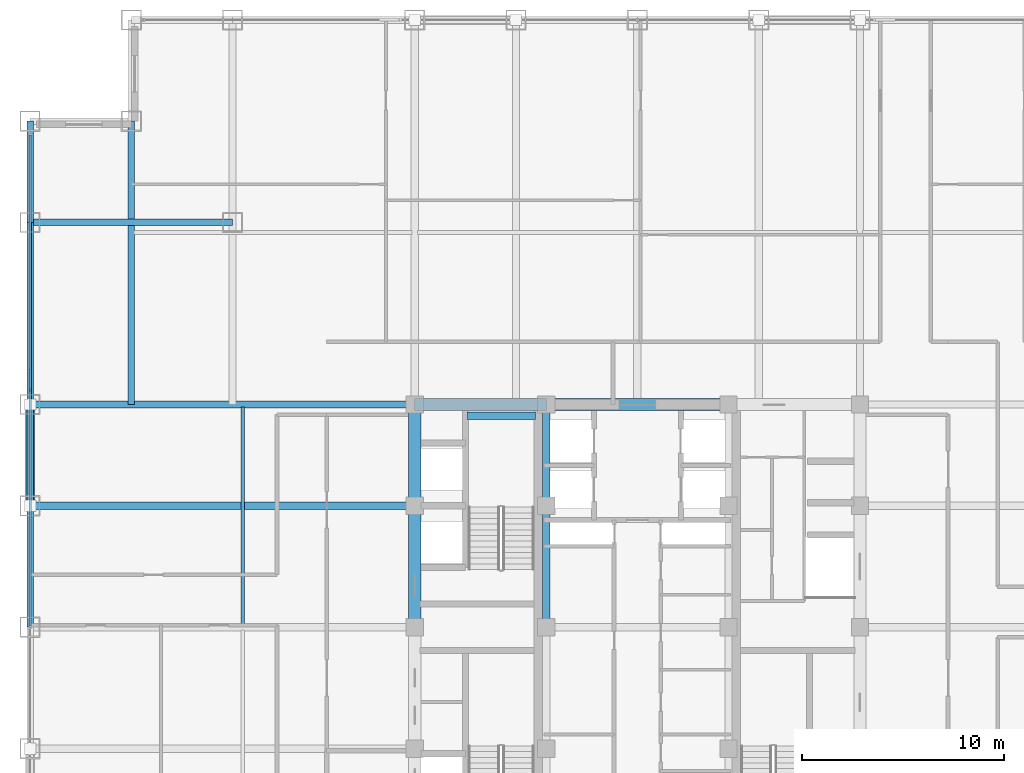
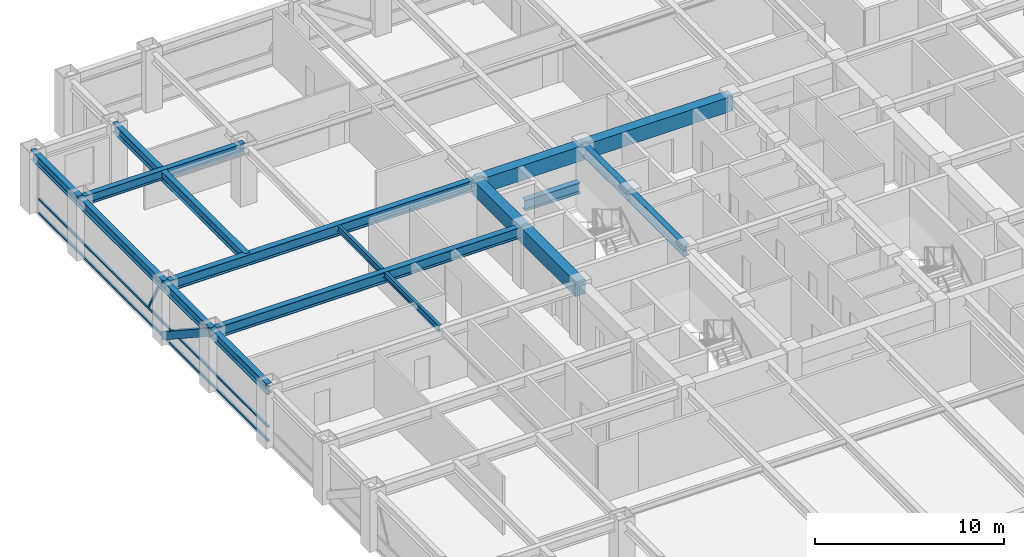
# One storey, part 11 of 25: 16 beams, 5 members, 1 element without a shape of its own.
"""IFC4 building model written with IfcOpenShell, lengths in metres."""

from ifc_helpers import new_model, si_unit, direction, frame, origin, origin_2d, place, context, subcontext, project, spatial, rectangle, hollow_rectangle, i_section, extrude, source, transform, mapped, material, material_profile, profile_set, type_object, element, aggregate, save


model = new_model("IFC4")

# Units and contexts
model_context = context("Model", 3, precision=1e-05, world=origin(), true_north=direction((0.0, 1.0)))
body_context = subcontext(model_context, "Body", "Model", "MODEL_VIEW")
ifc_project = project(units=[si_unit("LENGTHUNIT", "METRE"), si_unit("AREAUNIT", "SQUARE_METRE"), si_unit("VOLUMEUNIT", "CUBIC_METRE"), si_unit("PLANEANGLEUNIT", "RADIAN"), si_unit("MASSUNIT", "GRAM", prefix="KILO")], contexts=[model_context])

# Site, building, storey
site_placement = place(None, origin())
site = spatial("IfcSite", under=ifc_project, at=site_placement, CompositionType="ELEMENT")
building_placement = place(site_placement, origin())
building = spatial("IfcBuilding", under=site, at=building_placement, Name="Khorayat Bourse Tower", CompositionType="ELEMENT")
storey_placement = place(building_placement, frame((0.0, 0.0, 227.10009765625)))
storey = spatial("IfcBuildingStorey", under=building, at=storey_placement, Name="L53", CompositionType="ELEMENT", Elevation=227.10009765625)

# Beams
ifc_material_1 = material(Name="Steel ASTM A992 Grade 50", Category="steel")
ifc_material_profile_1 = material_profile(ifc_material_1, i_section(OverallWidth=0.35498046875, OverallDepth=0.695068359375, WebThickness=0.015380859375, FlangeThickness=0.02490234375, FilletRadius=0.01806640625, at=origin_2d()), Name="W690X217")
ifc_profile_set_1 = profile_set([ifc_material_profile_1], Name="Steel ASTM A992 Grade 50")
beam_type_1 = type_object("IfcBeamType", Name="BM-GIRD-690", PredefinedType="BEAM", material=ifc_profile_set_1)
shared_shape_1 = source(origin(), body_context, "Body", "SweptSolid", [
    extrude(i_section(OverallWidth=0.35498046875, OverallDepth=0.695068359375, WebThickness=0.015380859375, FlangeThickness=0.02490234375, FilletRadius=0.01806640625, at=origin_2d()), origin(), (0.0, 0.0, 1.0), 5.0),
])
beam_1_placement = place(storey_placement, frame((-4.5, 6.0, 3.432373046875), z_axis=(0.0, 1.0, 0.0), x_axis=(-1.0, 0.0, 0.0)))
element("IfcBeam", 1, at=beam_1_placement, inside=storey, type_object=beam_type_1, Name="L53 BM-GIRD-690 BM-L53-CRX-08", PredefinedType="BEAM", context=body_context, shape_type="MappedRepresentation", body=[
    mapped(shared_shape_1, transform((0.0, 0.0, 0.0), scale=1.0)),
])
shared_shape_2 = source(origin(), body_context, "Body", "SweptSolid", [
    extrude(i_section(OverallWidth=0.35498046875, OverallDepth=0.695068359375, WebThickness=0.015380859375, FlangeThickness=0.02490234375, FilletRadius=0.01806640625, at=origin_2d()), origin(), (0.0, 0.0, 1.0), 6.0),
])
beam_2_placement = place(storey_placement, frame((-4.5, 0.0, 3.432373046875), z_axis=(0.0, 1.0, 0.0), x_axis=(-1.0, 0.0, 0.0)))
element("IfcBeam", 2, at=beam_2_placement, inside=storey, type_object=beam_type_1, Name="L53 BM-GIRD-690 BM-L53-CRX-07", PredefinedType="BEAM", context=body_context, shape_type="MappedRepresentation", body=[
    mapped(shared_shape_2, transform((0.0, 0.0, 0.0), scale=1.0)),
])
shared_shape_3 = source(origin(), body_context, "Body", "SweptSolid", [
    extrude(i_section(OverallWidth=0.35498046875, OverallDepth=0.695068359375, WebThickness=0.015380859375, FlangeThickness=0.02490234375, FilletRadius=0.01806640625, at=origin_2d()), origin(), (0.0, 0.0, 1.0), 3.39990234375),
])
beam_3_placement = place(storey_placement, frame((-8.419921875, 10.449951171875, 1.452392578125), z_axis=(1.0, 0.0, 0.0), x_axis=(0.0, 1.0, 0.0)))
element("IfcBeam", 3, at=beam_3_placement, inside=storey, type_object=beam_type_1, Name="L53 BM-GIRD-690 BM-L53-ST2L", PredefinedType="BEAM", context=body_context, shape_type="MappedRepresentation", body=[
    mapped(shared_shape_3, transform((0.0, 0.0, 0.0), scale=1.0)),
])
ifc_material_profile_2 = material_profile(ifc_material_1, i_section(OverallWidth=0.324951171875, OverallDepth=0.615966796875, WebThickness=0.013916015625, FlangeThickness=0.021484375, FilletRadius=0.01611328125, at=origin_2d()), Name="W610X174")
ifc_profile_set_2 = profile_set([ifc_material_profile_2], Name="Steel ASTM A992 Grade 50")
beam_type_2 = type_object("IfcBeamType", Name="BM-GIRD-610", PredefinedType="BEAM", material=ifc_profile_set_2)
shared_shape_4 = source(origin(), body_context, "Body", "SweptSolid", [
    extrude(i_section(OverallWidth=0.324951171875, OverallDepth=0.615966796875, WebThickness=0.013916015625, FlangeThickness=0.021484375, FilletRadius=0.01611328125, at=origin_2d()), origin(), (0.0, 0.0, 1.0), 10.0),
])
beam_4_placement = place(storey_placement, frame((-30.0, 20.0, 3.471923828125), z_axis=(1.0, 0.0, 0.0), x_axis=(0.0, 1.0, 0.0)))
element("IfcBeam", 4, at=beam_4_placement, inside=storey, type_object=beam_type_2, Name="L53 BM-GIRD-610 BM-L53-CNRX-095", PredefinedType="BEAM", context=body_context, shape_type="MappedRepresentation", body=[
    mapped(shared_shape_4, transform((0.0, 0.0, 0.0), scale=1.0)),
])
ifc_material_profile_3 = material_profile(ifc_material_1, i_section(OverallWidth=0.180908203125, OverallDepth=0.4169921875, WebThickness=0.010986328125, FlangeThickness=0.018310546875, FilletRadius=0.011962890625, at=origin_2d()), Name="W410X85")
ifc_profile_set_3 = profile_set([ifc_material_profile_3], Name="Steel ASTM A992 Grade 50")
beam_type_3 = type_object("IfcBeamType", Name="BM-JOIST-410", PredefinedType="JOIST", material=ifc_profile_set_3)
shared_shape_5 = source(origin(), body_context, "Body", "SweptSolid", [
    extrude(i_section(OverallWidth=0.180908203125, OverallDepth=0.4169921875, WebThickness=0.010986328125, FlangeThickness=0.018310546875, FilletRadius=0.011962890625, at=origin_2d()), origin(), (0.0, 0.0, 1.0), 10.740234375),
])
beam_5_placement = place(storey_placement, frame((-19.5, 0.1298828125, 3.5712890625), z_axis=(0.0, 1.0, 0.0), x_axis=(-1.0, 0.0, 0.0)))
element("IfcBeam", 5, at=beam_5_placement, inside=storey, type_object=beam_type_3, Name="L53 BM-JOIST-410 BM-L53-JSTY-103", PredefinedType="JOIST", context=body_context, shape_type="MappedRepresentation", body=[
    mapped(shared_shape_5, transform((0.0, 0.0, 0.0), scale=1.0)),
])
ifc_material_profile_4 = material_profile(ifc_material_1, i_section(OverallWidth=0.324951171875, OverallDepth=0.615966796875, WebThickness=0.013916015625, FlangeThickness=0.021484375, FilletRadius=0.01611328125, at=origin_2d()), Name="W610X174")
ifc_profile_set_4 = profile_set([ifc_material_profile_4], Name="Steel ASTM A992 Grade 50")
beam_type_4 = type_object("IfcBeamType", Name="BM-SPAN-610", PredefinedType="SPANDREL", material=ifc_profile_set_4)
shared_shape_6 = source(origin(), body_context, "Body", "SweptSolid", [
    extrude(i_section(OverallWidth=0.324951171875, OverallDepth=0.615966796875, WebThickness=0.013916015625, FlangeThickness=0.021484375, FilletRadius=0.01611328125, at=origin_2d()), origin(), (0.0, 0.0, 1.0), 9.0),
])
beam_6_placement = place(storey_placement, frame((-30.0, 11.0, 3.471923828125), z_axis=(0.0, 1.0, 0.0), x_axis=(-1.0, 0.0, 0.0)))
element("IfcBeam", 6, at=beam_6_placement, inside=storey, type_object=beam_type_4, Name="L53 BM-SPAN-610 BM-L53-SPN-055", PredefinedType="SPANDREL", context=body_context, shape_type="MappedRepresentation", body=[
    mapped(shared_shape_6, transform((0.0, 0.0, 0.0), scale=1.0)),
])
shared_shape_7 = source(origin(), body_context, "Body", "SweptSolid", [
    extrude(i_section(OverallWidth=0.324951171875, OverallDepth=0.615966796875, WebThickness=0.013916015625, FlangeThickness=0.021484375, FilletRadius=0.01611328125, at=origin_2d()), origin(), (0.0, 0.0, 1.0), 5.0),
])
for number, where, z_axis, x_axis, name in (
    (7, (-30.0, 20.0, 3.471923828125), (0.0, 1.0, 0.0), (-1.0, 0.0, 0.0), "L53 BM-SPAN-610 BM-L53-SPN-054"),
    (8, (-30.0, 6.0, 3.471923828125), (0.0, 1.0, 0.0), (-1.0, 0.0, 0.0), "L53 BM-SPAN-610 BM-L53-SPN-056"),
):
    element("IfcBeam", number, at=place(storey_placement, frame(where, z_axis=z_axis, x_axis=x_axis)), inside=storey, type_object=beam_type_4, Name=name, PredefinedType="SPANDREL", context=body_context, shape_type="MappedRepresentation", body=[
        mapped(shared_shape_7, transform((0.0, 0.0, 0.0), scale=1.0)),
    ])
shared_shape_8 = source(origin(), body_context, "Body", "SweptSolid", [
    extrude(i_section(OverallWidth=0.324951171875, OverallDepth=0.615966796875, WebThickness=0.013916015625, FlangeThickness=0.021484375, FilletRadius=0.01611328125, at=origin_2d()), origin(), (0.0, 0.0, 1.0), 6.0),
])
beam_7_placement = place(storey_placement, frame((-30.0, 0.0, 3.471923828125), z_axis=(0.0, 1.0, 0.0), x_axis=(-1.0, 0.0, 0.0)))
element("IfcBeam", 9, at=beam_7_placement, inside=storey, type_object=beam_type_4, Name="L53 BM-SPAN-610 BM-L53-SPN-057", PredefinedType="SPANDREL", context=body_context, shape_type="MappedRepresentation", body=[
    mapped(shared_shape_8, transform((0.0, 0.0, 0.0), scale=1.0)),
])
ifc_material_2 = material(Name="Concrete C60/75", Category="concrete")
ifc_material_profile_5 = material_profile(ifc_material_2, rectangle(XDim=0.60009765625, YDim=0.949951171875, at=origin_2d()), Name="RC 600x950")
ifc_profile_set_5 = profile_set([ifc_material_profile_5], Name="Concrete C60/75")
beam_type_5 = type_object("IfcBeamType", Name="BM-COUP-950", PredefinedType="BEAM", material=ifc_profile_set_5)
shared_shape_9 = source(origin(), body_context, "Body", "SweptSolid", [
    extrude(rectangle(XDim=0.60009765625, YDim=0.949951171875, at=origin_2d()), origin(), (0.0, 0.0, 1.0), 5.0),
])
beam_8_placement = place(storey_placement, frame((-11.0, 6.0, 3.304931640625), z_axis=(0.0, 1.0, 0.0), x_axis=(-1.0, 0.0, 0.0)))
element("IfcBeam", 10, at=beam_8_placement, inside=storey, type_object=beam_type_5, Name="L53 BM-COUP-950 BM-L53-CRX-04", PredefinedType="BEAM", context=body_context, shape_type="MappedRepresentation", body=[
    mapped(shared_shape_9, transform((0.0, 0.0, 0.0), scale=1.0)),
])
shared_shape_10 = source(origin(), body_context, "Body", "SweptSolid", [
    extrude(rectangle(XDim=0.60009765625, YDim=0.949951171875, at=origin_2d()), origin(), (0.0, 0.0, 1.0), 6.0),
])
beam_9_placement = place(storey_placement, frame((-11.0, 0.0, 3.304931640625), z_axis=(0.0, 1.0, 0.0), x_axis=(-1.0, 0.0, 0.0)))
element("IfcBeam", 11, at=beam_9_placement, inside=storey, type_object=beam_type_5, Name="L53 BM-COUP-950 BM-L53-CRX-03", PredefinedType="BEAM", context=body_context, shape_type="MappedRepresentation", body=[
    mapped(shared_shape_10, transform((0.0, 0.0, 0.0), scale=1.0)),
])
shared_shape_11 = source(origin(), body_context, "Body", "SweptSolid", [
    extrude(rectangle(XDim=0.60009765625, YDim=0.949951171875, at=origin_2d()), origin(), (0.0, 0.0, 1.0), 6.5),
])
beam_10_placement = place(storey_placement, frame((-11.0, 11.0, 3.304931640625), z_axis=(1.0, 0.0, 0.0), x_axis=(0.0, 1.0, 0.0)))
element("IfcBeam", 12, at=beam_10_placement, inside=storey, type_object=beam_type_5, Name="L53 BM-COUP-950 BM-L53-CRY-20", PredefinedType="BEAM", context=body_context, shape_type="MappedRepresentation", body=[
    mapped(shared_shape_11, transform((0.0, 0.0, 0.0), scale=1.0)),
])
shared_shape_12 = source(origin(), body_context, "Body", "SweptSolid", [
    extrude(rectangle(XDim=0.60009765625, YDim=0.949951171875, at=origin_2d()), origin(), (0.0, 0.0, 1.0), 9.0),
])
beam_11_placement = place(storey_placement, frame((-4.5, 11.0, 3.304931640625), z_axis=(1.0, 0.0, 0.0), x_axis=(0.0, 1.0, 0.0)))
element("IfcBeam", 13, at=beam_11_placement, inside=storey, type_object=beam_type_5, Name="L53 BM-COUP-950 BM-L53-CRY-21", PredefinedType="BEAM", context=body_context, shape_type="MappedRepresentation", body=[
    mapped(shared_shape_12, transform((0.0, 0.0, 0.0), scale=1.0)),
])
shared_shape_13 = source(origin(), body_context, "Body", "SweptSolid", [
    extrude(i_section(OverallWidth=0.35498046875, OverallDepth=0.695068359375, WebThickness=0.015380859375, FlangeThickness=0.02490234375, FilletRadius=0.01806640625, at=origin_2d()), origin(), (0.0, 0.0, 1.0), 19.0),
])
for number, where, z_axis, x_axis, name in (
    (14, (-30.0, 6.0, 3.432373046875), (1.0, 0.0, 0.0), (0.0, 1.0, 0.0), "L53 BM-GIRD-690 BM-L53-RADX-081"),
    (15, (-30.0, 11.0, 3.432373046875), (1.0, 0.0, 0.0), (0.0, 1.0, 0.0), "L53 BM-GIRD-690 BM-L53-RADX-083"),
):
    element("IfcBeam", number, at=place(storey_placement, frame(where, z_axis=z_axis, x_axis=x_axis)), inside=storey, type_object=beam_type_1, Name=name, PredefinedType="BEAM", context=body_context, shape_type="MappedRepresentation", body=[
        mapped(shared_shape_13, transform((0.0, 0.0, 0.0), scale=1.0)),
    ])
shared_shape_14 = source(origin(), body_context, "Body", "SweptSolid", [
    extrude(i_section(OverallWidth=0.324951171875, OverallDepth=0.615966796875, WebThickness=0.013916015625, FlangeThickness=0.021484375, FilletRadius=0.01611328125, at=origin_2d()), origin(), (0.0, 0.0, 1.0), 14.0),
])
beam_12_placement = place(storey_placement, frame((-25.0, 11.0, 3.471923828125), z_axis=(0.0, 1.0, 0.0), x_axis=(-1.0, 0.0, 0.0)))
element("IfcBeam", 16, at=beam_12_placement, inside=storey, type_object=beam_type_2, Name="L53 BM-GIRD-610 BM-L53-CNRY-089", PredefinedType="BEAM", context=body_context, shape_type="MappedRepresentation", body=[
    mapped(shared_shape_14, transform((0.0, 0.0, 0.0), scale=1.0)),
])

# Member
ifc_material_3 = material(Name="Steel EN 10025-4 S460M", Category="steel")
ifc_material_profile_6 = material_profile(ifc_material_3, hollow_rectangle(XDim=0.449951171875, YDim=0.449951171875, WallThickness=0.02490234375, at=origin_2d()), Name="HSS 450x450x25")
ifc_profile_set_6 = profile_set([ifc_material_profile_6], Name="Steel EN 10025-4 S460M")
member_type_1 = type_object("IfcMemberType", Name="MBR-TUBE-450", PredefinedType="BRACE", material=ifc_profile_set_6)
shared_shape_15 = source(origin(), body_context, "Body", "SweptSolid", [
    extrude(hollow_rectangle(XDim=0.449951171875, YDim=0.449951171875, WallThickness=0.02490234375, at=origin_2d()), origin(), (0.0, 0.0, 1.0), 5.979736328125),
])
member_1_placement = place(storey_placement, frame((-30.0, 6.0, 3.52978515625), z_axis=(0.0, 0.836160261256, -0.548485202623), x_axis=(-1.0, 0.0, 0.0)))
element("IfcMember", 17, at=member_1_placement, inside=storey, type_object=member_type_1, Name="L53 Perimeter Tube Brace 06", PredefinedType="BRACE", context=body_context, shape_type="MappedRepresentation", body=[
    mapped(shared_shape_15, transform((0.0, 0.0, 0.0), scale=1.0)),
])

# Curtain wall, members
ifc_material_4 = material(Name="Aluminium EN AW-6063 T6", Category="aluminium")
curtain_wall_type = type_object("IfcCurtainWallType", Name="CW-SYS-03", PredefinedType="NOTDEFINED", material=ifc_material_4)
curtain_wall_placement = place(storey_placement, origin())
curtain_wall = element("IfcCurtainWall", 18, at=curtain_wall_placement, inside=storey, type_object=curtain_wall_type, Name="L53 Curtain Wall CW-L53-W1", PredefinedType="NOTDEFINED")
ifc_material_profile_7 = material_profile(ifc_material_4, hollow_rectangle(XDim=0.1201171875, YDim=0.1201171875, WallThickness=0.0048828125, at=origin_2d()), Name="ALU 120x120x5")
ifc_profile_set_7 = profile_set([ifc_material_profile_7], Name="Aluminium EN AW-6063 T6")
member_type_2 = type_object("IfcMemberType", Name="CWM-DIAG-120", PredefinedType="MULLION", material=ifc_profile_set_7)
shared_shape_16 = source(origin(), body_context, "Body", "SweptSolid", [
    extrude(hollow_rectangle(XDim=0.1201171875, YDim=0.1201171875, WallThickness=0.0048828125, at=origin_2d()), origin(), (0.0, 0.0, 1.0), 2.079345703125),
])
member_2_placement = place(storey_placement, frame((-30.0, 12.67919921875, 1.08984375), z_axis=(0.0, -0.465760949701, 0.884910581773), x_axis=(1.0, 0.0, 0.0)))
member_2 = element("IfcMember", 19, at=member_2_placement, type_object=member_type_2, Name="CW-L53-W1 Faceted Diagonal Mullion 2", PredefinedType="MULLION", context=body_context, shape_type="MappedRepresentation", body=[
    mapped(shared_shape_16, transform((0.0, 0.0, 0.0), scale=1.0)),
])
ifc_material_profile_8 = material_profile(ifc_material_4, hollow_rectangle(XDim=0.1201171875, YDim=0.1201171875, WallThickness=0.0048828125, at=origin_2d()), Name="ALU 120x120x5")
ifc_profile_set_8 = profile_set([ifc_material_profile_8], Name="Aluminium EN AW-6063 T6")
member_type_3 = type_object("IfcMemberType", Name="CWT-HORZ-120", PredefinedType="USERDEFINED", material=ifc_profile_set_8)
shared_shape_17 = source(origin(), body_context, "Body", "SweptSolid", [
    extrude(hollow_rectangle(XDim=0.1201171875, YDim=0.1201171875, WallThickness=0.0048828125, at=origin_2d()), origin(), (0.0, 0.0, 1.0), 24.27001953125),
])
member_3_placement = place(storey_placement, frame((-30.0, 0.06005859375, 0.059814453125), z_axis=(0.0, 1.0, 0.0), x_axis=(-1.0, 0.0, 0.0)))
member_3 = element("IfcMember", 20, at=member_3_placement, type_object=member_type_3, Name="CW-L53-W1 Horizontal Transom 2-1", ObjectType="TRANSOM", PredefinedType="USERDEFINED", context=body_context, shape_type="MappedRepresentation", body=[
    mapped(shared_shape_17, transform((0.0, 0.0, 0.0), scale=1.0)),
])
member_4_placement = place(storey_placement, frame((-30.0, 0.06005859375, 0.949951171875), z_axis=(0.0, 1.0, 0.0), x_axis=(-1.0, 0.0, 0.0)))
member_4 = element("IfcMember", 21, at=member_4_placement, type_object=member_type_3, Name="CW-L53-W1 Horizontal Transom 2-2", ObjectType="TRANSOM", PredefinedType="USERDEFINED", context=body_context, shape_type="MappedRepresentation", body=[
    mapped(shared_shape_17, transform((0.0, 0.0, 0.0), scale=1.0)),
])
member_5_placement = place(storey_placement, frame((-30.0, 0.06005859375, 3.06982421875), z_axis=(0.0, 1.0, 0.0), x_axis=(-1.0, 0.0, 0.0)))
member_5 = element("IfcMember", 22, at=member_5_placement, type_object=member_type_3, Name="CW-L53-W1 Horizontal Transom 2-3", ObjectType="TRANSOM", PredefinedType="USERDEFINED", context=body_context, shape_type="MappedRepresentation", body=[
    mapped(shared_shape_17, transform((0.0, 0.0, 0.0), scale=1.0)),
])
aggregate(curtain_wall, [member_3, member_4, member_5, member_2])

save(model, "model.ifc")
